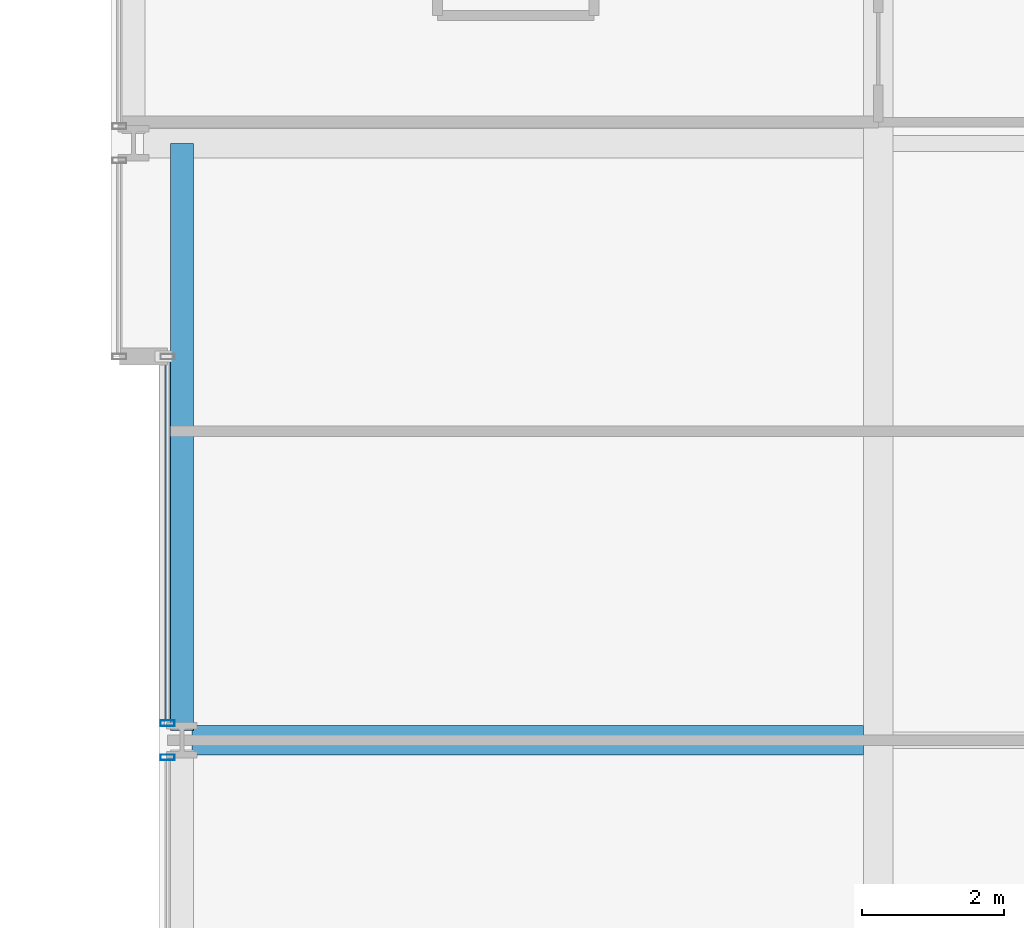
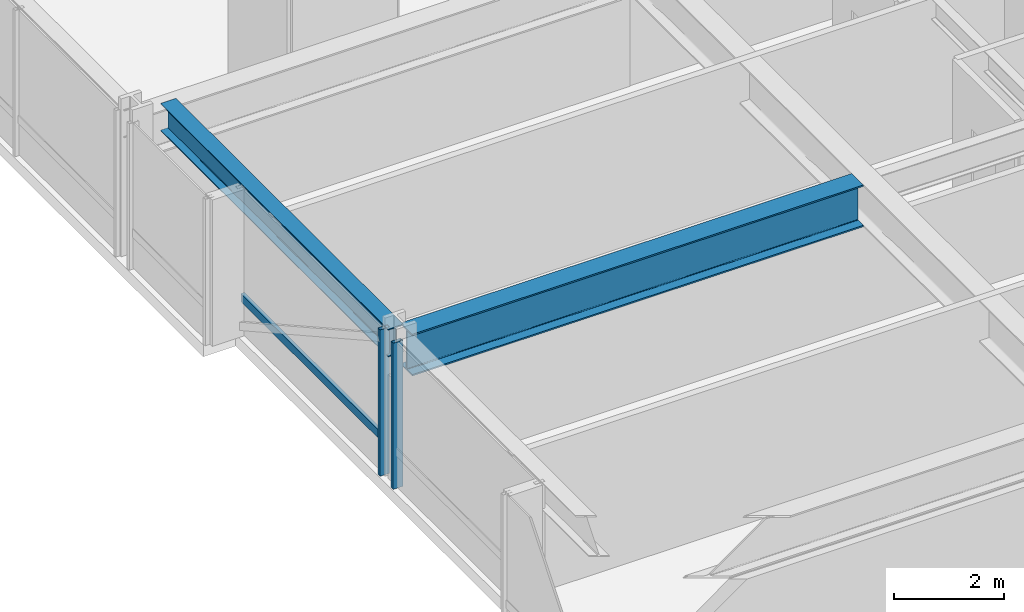
# One storey, part 9 of 39: 3 members, 2 beams, 2 elements without a shape of their own.
"""IFC4 building model written with IfcOpenShell, lengths in metres."""

from ifc_helpers import new_model, si_unit, direction, frame, origin, origin_2d, place, context, subcontext, project, spatial, hollow_rectangle, i_section, extrude, material, layer, layer_set, material_profile, profile_set, type_object, element, aggregate, save


model = new_model("IFC4")

# Units and contexts
model_context = context("Model", 3, precision=1e-05, world=origin(), true_north=direction((0.0, 1.0)))
body_context = subcontext(model_context, "Body", "Model", "MODEL_VIEW")
ifc_project = project(units=[si_unit("LENGTHUNIT", "METRE"), si_unit("AREAUNIT", "SQUARE_METRE"), si_unit("VOLUMEUNIT", "CUBIC_METRE"), si_unit("PLANEANGLEUNIT", "RADIAN"), si_unit("MASSUNIT", "GRAM", prefix="KILO")], contexts=[model_context])

# Site, building, storey
site_placement = place(None, origin())
site = spatial("IfcSite", under=ifc_project, at=site_placement, CompositionType="ELEMENT")
building_placement = place(site_placement, origin())
building = spatial("IfcBuilding", under=site, at=building_placement, Name="Drelvath Grand Hotel", CompositionType="ELEMENT")
storey_placement = place(building_placement, frame((0.0, 0.0, 36.699951171875)))
storey = spatial("IfcBuildingStorey", under=building, at=storey_placement, Name="L07", CompositionType="ELEMENT", Elevation=36.699951171875)

# Curtain wall, member
ifc_material_1 = material(Name="Warm Bronze Anodised Aluminium Frame", Category="aluminium")
ifc_layer = layer(ifc_material_1, 0.199951171875)
ifc_layer_set = layer_set([ifc_layer], Name="Warm Bronze Anodised Aluminium Frame")
curtain_wall_type = type_object("IfcCurtainWallType", Name="Stick Curtain Wall CW-02 Warm Bronze Low-Rise", PredefinedType="NOTDEFINED", material=ifc_layer_set)
curtain_wall_1_placement = place(storey_placement, origin())
curtain_wall_1 = element("IfcCurtainWall", 1, at=curtain_wall_1_placement, inside=storey, type_object=curtain_wall_type, Name="L07 CW-02 Curtain Wall CW02-L07-WM2", PredefinedType="NOTDEFINED")
ifc_material_profile_1 = material_profile(ifc_material_1, hollow_rectangle(XDim=0.074951171875, YDim=0.179931640625, WallThickness=0.0048828125, at=origin_2d()), Name="HSS180X75X5")
ifc_profile_set_1 = profile_set([ifc_material_profile_1], Name="Warm Bronze Anodised Aluminium Frame")
member_type_1 = type_object("IfcMemberType", Name="Curtain Wall Horizontal Transom CW-02 HSS180X75X5", PredefinedType="USERDEFINED", material=ifc_profile_set_1)
member_1_placement = place(storey_placement, frame((-26.199951171875, 27.281005859375, 0.81005859375), z_axis=(0.0, 1.0, 0.0), x_axis=(-1.0, 0.0, 0.0)))
member_1 = element("IfcMember", 2, at=member_1_placement, type_object=member_type_1, Name="CW02-L07-WM2 Sill Transom", ObjectType="TRANSOM", PredefinedType="USERDEFINED", context=body_context, shape_type="SweptSolid", body=[
    extrude(hollow_rectangle(XDim=0.074951171875, YDim=0.179931640625, WallThickness=0.0048828125, at=origin_2d()), origin(), (0.0, 0.0, 1.0), 5.0791015625),
])

curtain_wall_2_placement = place(storey_placement, origin())
curtain_wall_2 = element("IfcCurtainWall", 3, at=curtain_wall_2_placement, inside=storey, type_object=curtain_wall_type, Name="L07 CW-02 Curtain Wall CW02-L07-WM1", PredefinedType="NOTDEFINED")
ifc_material_profile_2 = material_profile(ifc_material_1, hollow_rectangle(XDim=0.080078125, YDim=0.199951171875, WallThickness=0.0048828125, at=origin_2d()), Name="HSS200X80X5")
ifc_profile_set_2 = profile_set([ifc_material_profile_2], Name="Warm Bronze Anodised Aluminium Frame")
member_type_2 = type_object("IfcMemberType", Name="Curtain Wall Vertical Mullion CW-02 HSS200X80X5", PredefinedType="MULLION", material=ifc_profile_set_2)
member_2_placement = place(storey_placement, frame((-26.199951171875, 26.759033203125, 0.0), z_axis=(0.0, 0.0, 1.0), x_axis=(0.0, 1.0, 0.0)))
member_2 = element("IfcMember", 4, at=member_2_placement, type_object=member_type_2, Name="CW02-L07-WM1 Mullion 2", PredefinedType="MULLION", context=body_context, shape_type="SweptSolid", body=[
    extrude(hollow_rectangle(XDim=0.080078125, YDim=0.199951171875, WallThickness=0.0048828125, at=origin_2d()), origin(), (0.0, 0.0, 1.0), 3.239990234375),
])
aggregate(curtain_wall_2, [member_2])

# Member
member_3_placement = place(storey_placement, frame((-26.199951171875, 27.240966796875, 0.0), z_axis=(0.0, 0.0, 1.0), x_axis=(0.0, 1.0, 0.0)))
member_3 = element("IfcMember", 5, at=member_3_placement, type_object=member_type_2, Name="CW02-L07-WM2 Mullion 1", PredefinedType="MULLION", context=body_context, shape_type="SweptSolid", body=[
    extrude(hollow_rectangle(XDim=0.080078125, YDim=0.199951171875, WallThickness=0.0048828125, at=origin_2d()), origin(), (0.0, 0.0, 1.0), 3.239990234375),
])

aggregate(curtain_wall_1, [member_3, member_1])

# Beams
ifc_material_2 = material(Name="Steel ASTM A992 Gr 50", Category="steel")
ifc_material_profile_3 = material_profile(ifc_material_2, i_section(OverallWidth=0.323974609375, OverallDepth=0.611083984375, WebThickness=0.0126953125, FlangeThickness=0.01904296875, FilletRadius=0.02197265625, at=origin_2d()), Name="W24X104")
ifc_profile_set_3 = profile_set([ifc_material_profile_3], Name="Steel ASTM A992 Gr 50")
beam_type_1 = type_object("IfcBeamType", Name="Perimeter Spandrel Beam W24X104", PredefinedType="SPANDREL", material=ifc_profile_set_3)
beam_1_placement = place(storey_placement, frame((-26.0, 27.139892578125, 2.9345703125), z_axis=(0.0, 1.0, 0.0), x_axis=(-1.0, 0.0, 0.0)))
element("IfcBeam", 6, at=beam_1_placement, inside=storey, type_object=beam_type_1, Name="L07 Spandrel West Mid N", PredefinedType="SPANDREL", context=body_context, shape_type="SweptSolid", body=[
    extrude(i_section(OverallWidth=0.323974609375, OverallDepth=0.611083984375, WebThickness=0.0126953125, FlangeThickness=0.01904296875, FilletRadius=0.02197265625, at=origin_2d()), origin(), (0.0, 0.0, 1.0), 8.260009765625),
])
ifc_material_profile_4 = material_profile(ifc_material_2, i_section(OverallWidth=0.418212890625, OverallDepth=0.926513671875, WebThickness=0.019287109375, FlangeThickness=0.031982421875, FilletRadius=0.028076171875, at=origin_2d()), Name="W36X231")
ifc_profile_set_4 = profile_set([ifc_material_profile_4], Name="Steel ASTM A992 Gr 50")
beam_type_2 = type_object("IfcBeamType", Name="Primary Floor Girder W36X231", PredefinedType="BEAM", material=ifc_profile_set_4)
beam_2_placement = place(storey_placement, frame((-25.860107421875, 27.0, 2.77685546875), z_axis=(1.0, 0.0, 0.0), x_axis=(0.0, 1.0, 0.0)))
element("IfcBeam", 7, at=beam_2_placement, inside=storey, type_object=beam_type_2, Name="L07 West Wing Girder E", PredefinedType="BEAM", context=body_context, shape_type="SweptSolid", body=[
    extrude(i_section(OverallWidth=0.418212890625, OverallDepth=0.926513671875, WebThickness=0.019287109375, FlangeThickness=0.031982421875, FilletRadius=0.028076171875, at=origin_2d()), origin(), (0.0, 0.0, 1.0), 9.450927734375),
])

save(model, "model.ifc")
